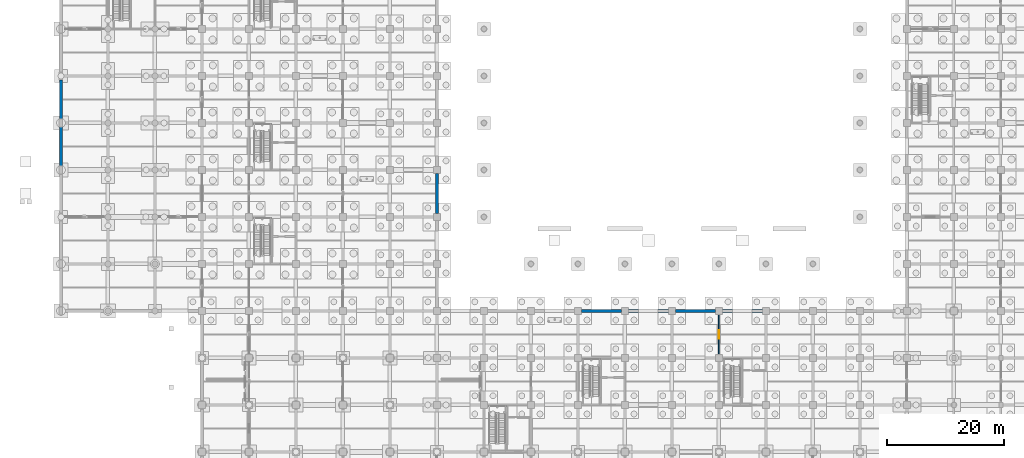
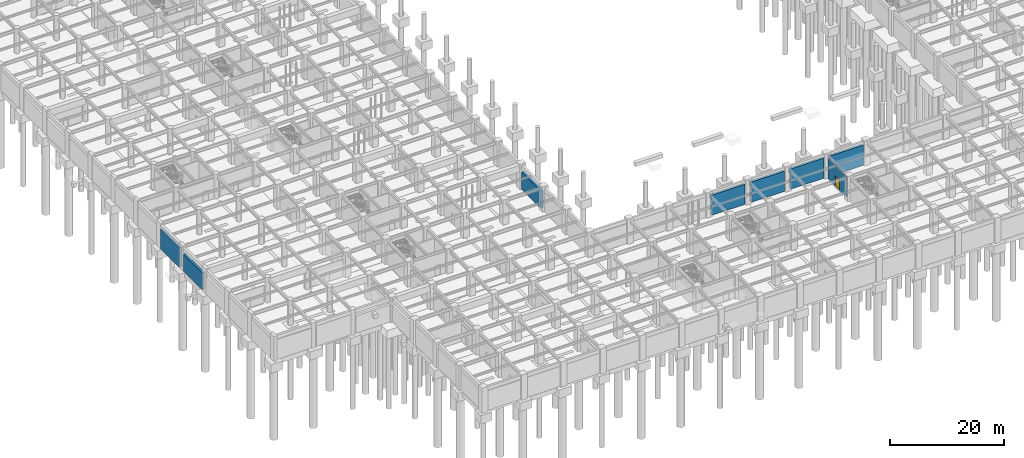
# One storey, part 70 of 97: 8 walls, 1 door, 1 opening.
"""IFC4 building model written with IfcOpenShell, lengths in metres."""

from ifc_helpers import new_model, si_unit, direction, frame, frame_2d, origin, place, context, subcontext, project, spatial, rectangle, extrude, material, layer, layer_set, type_object, element, fill, save


model = new_model("IFC4")

# Units and contexts
model_context = context("Model", 3, precision=1e-05, world=origin(), true_north=direction((0.0, 1.0)))
body_context = subcontext(model_context, "Body", "Model", "MODEL_VIEW")
ifc_project = project(units=[si_unit("LENGTHUNIT", "METRE"), si_unit("AREAUNIT", "SQUARE_METRE"), si_unit("VOLUMEUNIT", "CUBIC_METRE"), si_unit("PLANEANGLEUNIT", "RADIAN"), si_unit("MASSUNIT", "GRAM", prefix="KILO")], contexts=[model_context])

# Site, building, storey
site_placement = place(None, origin())
site = spatial("IfcSite", under=ifc_project, at=site_placement, CompositionType="ELEMENT")
building_placement = place(site_placement, origin())
building = spatial("IfcBuilding", under=site, at=building_placement, Name="Haebicheon Civic Stadium", CompositionType="ELEMENT")
storey_placement = place(building_placement, frame((0.0, 0.0, -5.39990234375)))
storey = spatial("IfcBuildingStorey", under=building, at=storey_placement, Name="B1", CompositionType="ELEMENT", Elevation=-5.39990234375)

# Walls
ifc_material_1 = material(Name="Concrete C40/50", Category="concrete")
ifc_layer_1 = layer(ifc_material_1, 0.4599609375, Name="Concrete C40/50")
ifc_layer_set_1 = layer_set([ifc_layer_1], Name="Concrete C40/50")
wall_type_1 = type_object("IfcWallType", Name="EW-RET-460", PredefinedType="STANDARD", material=ifc_layer_set_1)
wall_1_placement = place(storey_placement, frame((0.0, 56.699951171875, 0.0), z_axis=(0.0, 0.0, 1.0), x_axis=(0.0, 1.0, 0.0)))
element("IfcWall", 1, at=wall_1_placement, inside=storey, type_object=wall_type_1, material=ifc_layer_set_1, Name="B1 retaining wall 00-07-W", PredefinedType="STANDARD", context=body_context, shape_type="SweptSolid", body=[
    extrude(rectangle(XDim=6.60009765625, YDim=0.4599609375, at=frame_2d((3.300048828125, 0.0))), origin(), (0.0, 0.0, 1.0), 3.68994140625),
])
for number, where, z_axis, x_axis, name in (
    (2, (88.60009765625, 32.0, 0.0), (0.0, 0.0, 1.0), (1.0, 0.0, 0.0), "B1 retaining wall 11-04-N"),
    (3, (104.60009765625, 32.0, 0.0), (0.0, 0.0, 1.0), (1.0, 0.0, 0.0), "B1 retaining wall 13-04-N"),
):
    element("IfcWall", number, at=place(storey_placement, frame(where, z_axis=z_axis, x_axis=x_axis)), inside=storey, type_object=wall_type_1, material=ifc_layer_set_1, Name=name, PredefinedType="STANDARD", context=body_context, shape_type="SweptSolid", body=[
        extrude(rectangle(XDim=6.7998046875, YDim=0.4599609375, at=frame_2d((3.39990234375, 0.0))), origin(), (0.0, 0.0, 1.0), 4.33984375),
    ])
ifc_material_2 = material(Name="Concrete C40/50", Category="concrete")
ifc_layer_2 = layer(ifc_material_2, 0.5, Name="Concrete C40/50")
ifc_layer_set_2 = layer_set([ifc_layer_2], Name="Concrete C40/50")
wall_type_2 = type_object("IfcWallType", Name="EW-RET-500", PredefinedType="STANDARD", material=ifc_layer_set_2)
wall_2_placement = place(storey_placement, frame((0.0, 64.699951171875, 0.0), z_axis=(0.0, 0.0, 1.0), x_axis=(0.0, 1.0, 0.0)))
element("IfcWall", 4, at=wall_2_placement, inside=storey, type_object=wall_type_2, material=ifc_layer_set_2, Name="B1 retaining wall 00-08-W", PredefinedType="STANDARD", context=body_context, shape_type="SweptSolid", body=[
    extrude(rectangle(XDim=6.60009765625, YDim=0.5, at=frame_2d((3.300048828125, 0.0))), origin(), (0.0, 0.0, 1.0), 4.239990234375),
])
wall_3_placement = place(storey_placement, frame((64.0, 48.60009765625, 0.0), z_axis=(0.0, 0.0, 1.0), x_axis=(0.0, 1.0, 0.0)))
element("IfcWall", 5, at=wall_3_placement, inside=storey, type_object=wall_type_2, material=ifc_layer_set_2, Name="B1 retaining wall 08-06-E", PredefinedType="STANDARD", context=body_context, shape_type="SweptSolid", body=[
    extrude(rectangle(XDim=6.7998046875, YDim=0.5, at=frame_2d((3.39990234375, 0.0))), origin(), (0.0, 0.0, 1.0), 3.68994140625),
])
for number, where, z_axis, x_axis, name in (
    (6, (96.60009765625, 32.0, 0.0), (0.0, 0.0, 1.0), (1.0, 0.0, 0.0), "B1 retaining wall 12-04-N"),
    (7, (112.60009765625, 32.0, 0.0), (0.0, 0.0, 1.0), (1.0, 0.0, 0.0), "B1 retaining wall 14-04-N"),
):
    element("IfcWall", number, at=place(storey_placement, frame(where, z_axis=z_axis, x_axis=x_axis)), inside=storey, type_object=wall_type_2, material=ifc_layer_set_2, Name=name, PredefinedType="STANDARD", context=body_context, shape_type="SweptSolid", body=[
        extrude(rectangle(XDim=6.7998046875, YDim=0.5, at=frame_2d((3.39990234375, 0.0))), origin(), (0.0, 0.0, 1.0), 4.33984375),
    ])

# Wall, opening, door
ifc_material_3 = material(Name="Concrete C35/45", Category="concrete")
ifc_layer_3 = layer(ifc_material_3, 0.179931640625, Name="Concrete C35/45")
ifc_layer_set_3 = layer_set([ifc_layer_3], Name="Concrete C35/45")
wall_type_3 = type_object("IfcWallType", Name="IW-PRT-180", PredefinedType="PARTITIONING", material=ifc_layer_set_3)
wall_4_placement = place(storey_placement, frame((112.0, 24.75, 0.0), z_axis=(0.0, 0.0, 1.0), x_axis=(0.0, 1.0, 0.0)))
wall_4 = element("IfcWall", 8, at=wall_4_placement, inside=storey, type_object=wall_type_3, material=ifc_layer_set_3, Name="B1 Central Catering Production Kitchen partition wall", PredefinedType="PARTITIONING", context=body_context, shape_type="SweptSolid", body=[
    extrude(rectangle(XDim=6.5, YDim=0.179931640625, at=frame_2d((3.25, 0.0))), origin(), (0.0, 0.0, 1.0), 4.389892578125),
])
opening_placement = place(wall_4_placement, frame((2.5, 0.0, 0.0)))
opening = element("IfcOpeningElement", 9, at=opening_placement, cuts=wall_4, Name="Opening D-B1-036", PredefinedType="OPENING", context=body_context, shape_type="SweptSolid", body=[
    extrude(rectangle(XDim=1.5, YDim=2.199951171875, at=frame_2d((0.75, 1.10009765625))), frame((0.0, 0.099853515625, 0.0), z_axis=(0.0, -1.0, 0.0), x_axis=(1.0, 0.0, 0.0)), (0.0, 0.0, 1.0), 0.199951171875),
])
ifc_material_4 = material(Name="Galvanised painted steel SM355", Category="steel")
door_type = type_object("IfcDoorType", Name="ID-FD-1500", OperationType="NOTDEFINED", PredefinedType="DOOR", material=ifc_material_4)
door_placement = place(opening_placement, origin())
door = element("IfcDoor", 10, at=door_placement, inside=storey, type_object=door_type, material=ifc_material_4, Name="B1 Central Catering Production Kitchen entrance door D-B1-036", OperationType="SINGLE_SWING_RIGHT", OverallHeight=2.199951171875, OverallWidth=1.5, PredefinedType="DOOR", context=body_context, shape_type="SweptSolid", body=[
    extrude(rectangle(XDim=1.5, YDim=2.199951171875, at=frame_2d((0.75, 1.10009765625))), frame((0.0, 0.02490234375, 0.0), z_axis=(0.0, -1.0, 0.0), x_axis=(1.0, 0.0, 0.0)), (0.0, 0.0, 1.0), 0.050048828125),
])
fill(opening, door)

save(model, "model.ifc")
